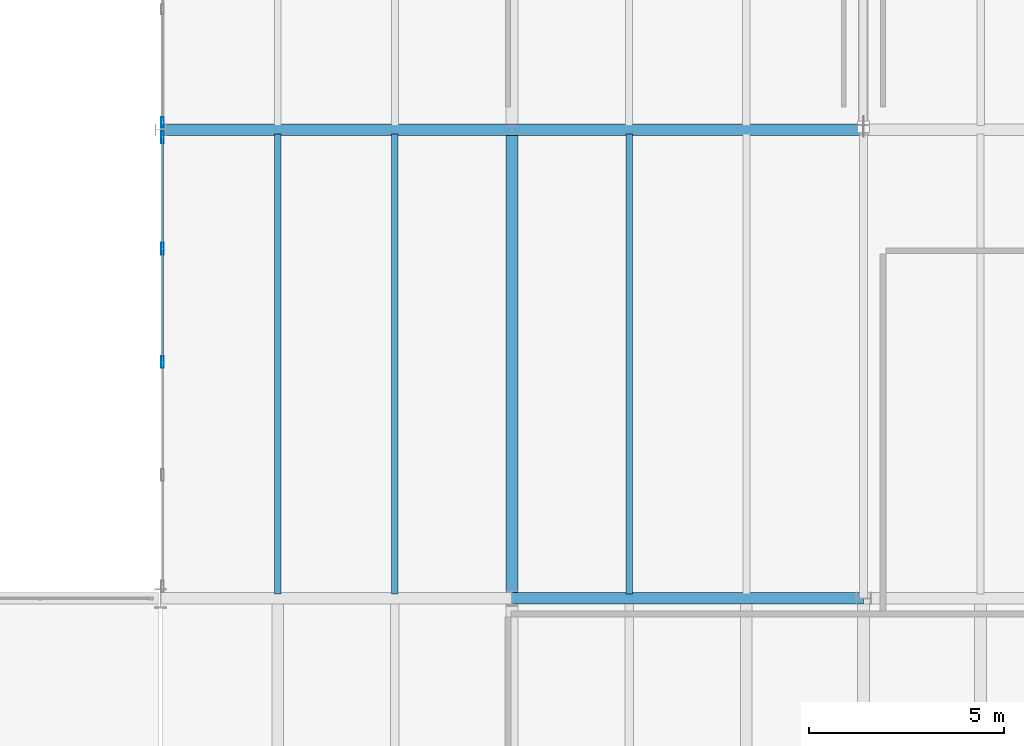
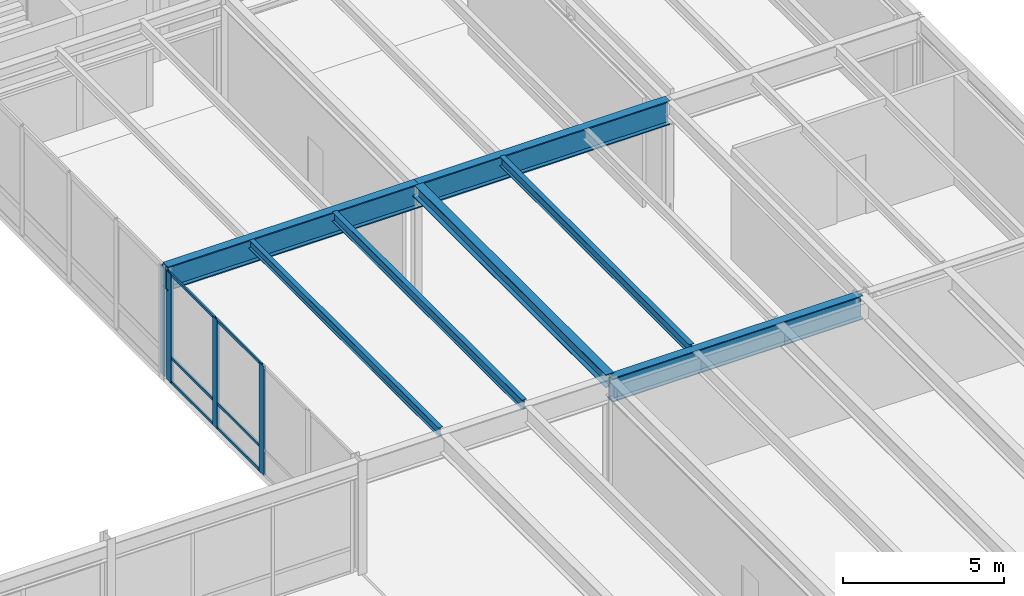
# One storey, part 42 of 115: 10 members, 7 beams, 2 elements without a shape of their own.
"""IFC4 building model written with IfcOpenShell, lengths in metres."""

from ifc_helpers import new_model, si_unit, direction, frame, origin, origin_2d, place, context, subcontext, project, spatial, hollow_rectangle, i_section, extrude, material, layer, layer_set, material_profile, profile_set, type_object, element, aggregate, save


model = new_model("IFC4")

# Units and contexts
model_context = context("Model", 3, precision=1e-05, world=origin(), true_north=direction((0.0, 1.0)))
body_context = subcontext(model_context, "Body", "Model", "MODEL_VIEW")
ifc_project = project(units=[si_unit("LENGTHUNIT", "METRE"), si_unit("AREAUNIT", "SQUARE_METRE"), si_unit("VOLUMEUNIT", "CUBIC_METRE"), si_unit("PLANEANGLEUNIT", "RADIAN"), si_unit("MASSUNIT", "GRAM", prefix="KILO")], contexts=[model_context])

# Site, building, storey
site_placement = place(None, origin())
site = spatial("IfcSite", under=ifc_project, at=site_placement, CompositionType="ELEMENT")
building_placement = place(site_placement, origin())
building = spatial("IfcBuilding", under=site, at=building_placement, Name="Montelvaro Courts of Justice", CompositionType="ELEMENT")
storey_placement = place(building_placement, frame((0.0, 0.0, 9.89990234375)))
storey = spatial("IfcBuildingStorey", under=building, at=storey_placement, Name="L02", CompositionType="ELEMENT", Elevation=9.89990234375)

# Beams
ifc_material_1 = material(Name="Steel S355", Category="steel")
ifc_material_profile_1 = material_profile(ifc_material_1, i_section(OverallWidth=0.300048828125, OverallDepth=0.489990234375, WebThickness=0.011962890625, FlangeThickness=0.02294921875, at=origin_2d()), Name="HEA 500")
ifc_profile_set_1 = profile_set([ifc_material_profile_1], Name="Steel S355")
beam_type_1 = type_object("IfcBeamType", Name="Beam_HEA500", PredefinedType="USERDEFINED", material=ifc_profile_set_1)
beam_1_placement = place(storey_placement, frame((108.0, 42.0, 4.05517578125), z_axis=(0.0, 1.0, 0.0), x_axis=(-1.0, 0.0, 0.0)))
element("IfcBeam", 1, at=beam_1_placement, inside=storey, type_object=beam_type_1, Name="Beam B-19 L02", ObjectType="GIRDER", PredefinedType="USERDEFINED", context=body_context, shape_type="SweptSolid", body=[
    extrude(i_section(OverallWidth=0.300048828125, OverallDepth=0.489990234375, WebThickness=0.011962890625, FlangeThickness=0.02294921875, at=origin_2d()), origin(), (0.0, 0.0, 1.0), 12.0),
])
ifc_material_profile_2 = material_profile(ifc_material_1, i_section(OverallWidth=0.300048828125, OverallDepth=0.89990234375, WebThickness=0.0185546875, FlangeThickness=0.034912109375, at=origin_2d()), Name="HEB 900")
ifc_profile_set_2 = profile_set([ifc_material_profile_2], Name="Steel S355")
beam_type_2 = type_object("IfcBeamType", Name="Beam_HEB900", PredefinedType="USERDEFINED", material=ifc_profile_set_2)
beam_2_placement = place(storey_placement, frame((108.0, 42.0, 3.75), z_axis=(1.0, 0.0, 0.0), x_axis=(0.0, 1.0, 0.0)))
element("IfcBeam", 2, at=beam_2_placement, inside=storey, type_object=beam_type_2, Name="Beam B-30 L02", ObjectType="GIRDER", PredefinedType="USERDEFINED", context=body_context, shape_type="SweptSolid", body=[
    extrude(i_section(OverallWidth=0.300048828125, OverallDepth=0.89990234375, WebThickness=0.0185546875, FlangeThickness=0.034912109375, at=origin_2d()), origin(), (0.0, 0.0, 1.0), 9.0),
])
ifc_material_profile_3 = material_profile(ifc_material_1, i_section(OverallWidth=0.302001953125, OverallDepth=0.909912109375, WebThickness=0.02099609375, FlangeThickness=0.0400390625, at=origin_2d()), Name="HEM 900")
ifc_profile_set_3 = profile_set([ifc_material_profile_3], Name="Steel S355")
beam_type_3 = type_object("IfcBeamType", Name="Beam_HEM900", PredefinedType="USERDEFINED", material=ifc_profile_set_3)
for number, where, z_axis, x_axis, name in (
    (3, (99.0, 54.0, 3.84521484375), (1.0, 0.0, 0.0), (0.0, 1.0, 0.0), "Beam B-31 L02"),
    (4, (108.0, 54.0, 3.84521484375), (1.0, 0.0, 0.0), (0.0, 1.0, 0.0), "Beam B-31 L02"),
):
    element("IfcBeam", number, at=place(storey_placement, frame(where, z_axis=z_axis, x_axis=x_axis)), inside=storey, type_object=beam_type_3, Name=name, ObjectType="GIRDER", PredefinedType="USERDEFINED", context=body_context, shape_type="SweptSolid", body=[
        extrude(i_section(OverallWidth=0.302001953125, OverallDepth=0.909912109375, WebThickness=0.02099609375, FlangeThickness=0.0400390625, at=origin_2d()), origin(), (0.0, 0.0, 1.0), 9.0),
    ])
ifc_material_profile_4 = material_profile(ifc_material_1, i_section(OverallWidth=0.159912109375, OverallDepth=0.330078125, WebThickness=0.007568359375, FlangeThickness=0.011474609375, at=origin_2d()), Name="IPE 330")
ifc_profile_set_4 = profile_set([ifc_material_profile_4], Name="Steel S355")
beam_type_4 = type_object("IfcBeamType", Name="Beam_IPE330", PredefinedType="BEAM", material=ifc_profile_set_4)
beam_3_placement = place(storey_placement, frame((102.0, 42.110107421875, 4.135009765625), z_axis=(0.0, 1.0, 0.0), x_axis=(-1.0, 0.0, 0.0)))
element("IfcBeam", 5, at=beam_3_placement, inside=storey, type_object=beam_type_4, Name="Beam B-06 L02", PredefinedType="BEAM", context=body_context, shape_type="SweptSolid", body=[
    extrude(i_section(OverallWidth=0.159912109375, OverallDepth=0.330078125, WebThickness=0.007568359375, FlangeThickness=0.011474609375, at=origin_2d()), origin(), (0.0, 0.0, 1.0), 11.77978515625),
])
ifc_material_profile_5 = material_profile(ifc_material_1, i_section(OverallWidth=0.169921875, OverallDepth=0.360107421875, WebThickness=0.008056640625, FlangeThickness=0.0126953125, at=origin_2d()), Name="IPE 360")
ifc_profile_set_5 = profile_set([ifc_material_profile_5], Name="Steel S355")
beam_type_5 = type_object("IfcBeamType", Name="Beam_IPE360", PredefinedType="BEAM", material=ifc_profile_set_5)
for number, where, z_axis, x_axis, name in (
    (6, (105.0, 42.110107421875, 4.1201171875), (0.0, 1.0, 0.0), (-1.0, 0.0, 0.0), "Beam B-07 L02"),
    (7, (111.0, 42.110107421875, 4.1201171875), (0.0, 1.0, 0.0), (-1.0, 0.0, 0.0), "Beam B-07 L02"),
):
    element("IfcBeam", number, at=place(storey_placement, frame(where, z_axis=z_axis, x_axis=x_axis)), inside=storey, type_object=beam_type_5, Name=name, PredefinedType="BEAM", context=body_context, shape_type="SweptSolid", body=[
        extrude(i_section(OverallWidth=0.169921875, OverallDepth=0.360107421875, WebThickness=0.008056640625, FlangeThickness=0.0126953125, at=origin_2d()), origin(), (0.0, 0.0, 1.0), 11.77978515625),
    ])

# Curtain wall, member
ifc_material_2 = material(Name="Anodised aluminium EN AW-6063", Category="aluminium")
ifc_layer_1 = layer(ifc_material_2, 0.159912109375)
ifc_layer_set_1 = layer_set([ifc_layer_1], Name="Anodised aluminium EN AW-6063")
curtain_wall_type_1 = type_object("IfcCurtainWallType", Name="CurtainWall_24_1169x418", PredefinedType="USERDEFINED", material=ifc_layer_set_1)
curtain_wall_1_placement = place(storey_placement, origin())
curtain_wall_1 = element("IfcCurtainWall", 8, at=curtain_wall_1_placement, inside=storey, type_object=curtain_wall_type_1, Name="Curtain Wall CW-24 (L02)", ObjectType="CURTAIN WALL", PredefinedType="USERDEFINED")
ifc_material_profile_6 = material_profile(ifc_material_2, hollow_rectangle(XDim=0.074951171875, YDim=0.25, WallThickness=0.005615234375, at=origin_2d()), Name="ALU-M 75x250")
ifc_profile_set_6 = profile_set([ifc_material_profile_6], Name="Anodised aluminium EN AW-6063")
member_type_1 = type_object("IfcMemberType", Name="CurtainWall_Mullion_75x250", PredefinedType="MULLION", material=ifc_profile_set_6)
member_1_placement = place(storey_placement, frame((99.050048828125, 54.1923828125, 0.0), z_axis=(0.0, 0.0, 1.0), x_axis=(1.0, 0.0, 0.0)))
member_1 = element("IfcMember", 9, at=member_1_placement, type_object=member_type_1, Name="CW-24 mullion 5", PredefinedType="MULLION", context=body_context, shape_type="SweptSolid", body=[
    extrude(hollow_rectangle(XDim=0.074951171875, YDim=0.25, WallThickness=0.005615234375, at=origin_2d()), origin(), (0.0, 0.0, 1.0), 4.1201171875),
])
aggregate(curtain_wall_1, [member_1])

# Curtain wall, members
ifc_layer_2 = layer(ifc_material_2, 0.159912109375)
ifc_layer_set_2 = layer_set([ifc_layer_2], Name="Anodised aluminium EN AW-6063")
curtain_wall_type_2 = type_object("IfcCurtainWallType", Name="CurtainWall_19_1159x418", PredefinedType="USERDEFINED", material=ifc_layer_set_2)
curtain_wall_2_placement = place(storey_placement, origin())
curtain_wall_2 = element("IfcCurtainWall", 10, at=curtain_wall_2_placement, inside=storey, type_object=curtain_wall_type_2, Name="Curtain Wall CW-19 (L02)", ObjectType="CURTAIN WALL", PredefinedType="USERDEFINED")
ifc_material_profile_7 = material_profile(ifc_material_2, hollow_rectangle(XDim=0.074951171875, YDim=0.300048828125, WallThickness=0.006103515625, at=origin_2d()), Name="ALU-M 75x300")
ifc_profile_set_7 = profile_set([ifc_material_profile_7], Name="Anodised aluminium EN AW-6063")
member_type_2 = type_object("IfcMemberType", Name="CurtainWall_Mullion_75x300", PredefinedType="MULLION", material=ifc_profile_set_7)
member_2_placement = place(storey_placement, frame((99.050048828125, 53.8076171875, 0.0), z_axis=(0.0, 0.0, 1.0), x_axis=(1.0, 0.0, 0.0)))
member_2 = element("IfcMember", 11, at=member_2_placement, type_object=member_type_2, Name="CW-19 mullion 1", PredefinedType="MULLION", context=body_context, shape_type="SweptSolid", body=[
    extrude(hollow_rectangle(XDim=0.074951171875, YDim=0.300048828125, WallThickness=0.006103515625, at=origin_2d()), origin(), (0.0, 0.0, 1.0), 4.1201171875),
])
member_3_placement = place(storey_placement, frame((99.050048828125, 50.949951171875, 0.0), z_axis=(0.0, 0.0, 1.0), x_axis=(1.0, 0.0, 0.0)))
member_3 = element("IfcMember", 12, at=member_3_placement, type_object=member_type_2, Name="CW-19 mullion 2", PredefinedType="MULLION", context=body_context, shape_type="SweptSolid", body=[
    extrude(hollow_rectangle(XDim=0.074951171875, YDim=0.300048828125, WallThickness=0.006103515625, at=origin_2d()), origin(), (0.0, 0.0, 1.0), 4.1201171875),
])
member_4_placement = place(storey_placement, frame((99.050048828125, 48.054931640625, 0.0), z_axis=(0.0, 0.0, 1.0), x_axis=(1.0, 0.0, 0.0)))
member_4 = element("IfcMember", 13, at=member_4_placement, type_object=member_type_2, Name="CW-19 mullion 3", PredefinedType="MULLION", context=body_context, shape_type="SweptSolid", body=[
    extrude(hollow_rectangle(XDim=0.074951171875, YDim=0.300048828125, WallThickness=0.006103515625, at=origin_2d()), origin(), (0.0, 0.0, 1.0), 4.1201171875),
])
ifc_material_profile_8 = material_profile(ifc_material_2, hollow_rectangle(XDim=0.06005859375, YDim=0.10009765625, WallThickness=0.00341796875, at=origin_2d()), Name="ALU-T 60x100")
ifc_profile_set_8 = profile_set([ifc_material_profile_8], Name="Anodised aluminium EN AW-6063")
member_type_3 = type_object("IfcMemberType", Name="CurtainWall_Transom_60x100", PredefinedType="USERDEFINED", material=ifc_profile_set_8)
member_5_placement = place(storey_placement, frame((99.050048828125, 53.77001953125, 0.030029296875), z_axis=(0.0, -1.0, 0.0), x_axis=(1.0, 0.0, 0.0)))
member_5 = element("IfcMember", 14, at=member_5_placement, type_object=member_type_3, Name="CW-19 transom 1.1", ObjectType="TRANSOM", PredefinedType="USERDEFINED", context=body_context, shape_type="SweptSolid", body=[
    extrude(hollow_rectangle(XDim=0.06005859375, YDim=0.10009765625, WallThickness=0.00341796875, at=origin_2d()), origin(), (0.0, 0.0, 1.0), 2.782470703125),
])
member_6_placement = place(storey_placement, frame((99.050048828125, 53.77001953125, 0.9501953125), z_axis=(0.0, -1.0, 0.0), x_axis=(1.0, 0.0, 0.0)))
member_6 = element("IfcMember", 15, at=member_6_placement, type_object=member_type_3, Name="CW-19 transom 1.2", ObjectType="TRANSOM", PredefinedType="USERDEFINED", context=body_context, shape_type="SweptSolid", body=[
    extrude(hollow_rectangle(XDim=0.06005859375, YDim=0.10009765625, WallThickness=0.00341796875, at=origin_2d()), origin(), (0.0, 0.0, 1.0), 2.782470703125),
])
member_7_placement = place(storey_placement, frame((99.050048828125, 53.77001953125, 4.090087890625), z_axis=(0.0, -1.0, 0.0), x_axis=(1.0, 0.0, 0.0)))
member_7 = element("IfcMember", 16, at=member_7_placement, type_object=member_type_3, Name="CW-19 transom 1.3", ObjectType="TRANSOM", PredefinedType="USERDEFINED", context=body_context, shape_type="SweptSolid", body=[
    extrude(hollow_rectangle(XDim=0.06005859375, YDim=0.10009765625, WallThickness=0.00341796875, at=origin_2d()), origin(), (0.0, 0.0, 1.0), 2.782470703125),
])
member_8_placement = place(storey_placement, frame((99.050048828125, 50.91259765625, 0.030029296875), z_axis=(0.0, -1.0, 0.0), x_axis=(1.0, 0.0, 0.0)))
member_8 = element("IfcMember", 17, at=member_8_placement, type_object=member_type_3, Name="CW-19 transom 2.1", ObjectType="TRANSOM", PredefinedType="USERDEFINED", context=body_context, shape_type="SweptSolid", body=[
    extrude(hollow_rectangle(XDim=0.06005859375, YDim=0.10009765625, WallThickness=0.00341796875, at=origin_2d()), origin(), (0.0, 0.0, 1.0), 2.820068359375),
])
member_9_placement = place(storey_placement, frame((99.050048828125, 50.91259765625, 0.9501953125), z_axis=(0.0, -1.0, 0.0), x_axis=(1.0, 0.0, 0.0)))
member_9 = element("IfcMember", 18, at=member_9_placement, type_object=member_type_3, Name="CW-19 transom 2.2", ObjectType="TRANSOM", PredefinedType="USERDEFINED", context=body_context, shape_type="SweptSolid", body=[
    extrude(hollow_rectangle(XDim=0.06005859375, YDim=0.10009765625, WallThickness=0.00341796875, at=origin_2d()), origin(), (0.0, 0.0, 1.0), 2.820068359375),
])
member_10_placement = place(storey_placement, frame((99.050048828125, 50.91259765625, 4.090087890625), z_axis=(0.0, -1.0, 0.0), x_axis=(1.0, 0.0, 0.0)))
member_10 = element("IfcMember", 19, at=member_10_placement, type_object=member_type_3, Name="CW-19 transom 2.3", ObjectType="TRANSOM", PredefinedType="USERDEFINED", context=body_context, shape_type="SweptSolid", body=[
    extrude(hollow_rectangle(XDim=0.06005859375, YDim=0.10009765625, WallThickness=0.00341796875, at=origin_2d()), origin(), (0.0, 0.0, 1.0), 2.820068359375),
])
aggregate(curtain_wall_2, [member_2, member_3, member_4, member_5, member_6, member_7, member_8, member_9, member_10])

save(model, "model.ifc")
